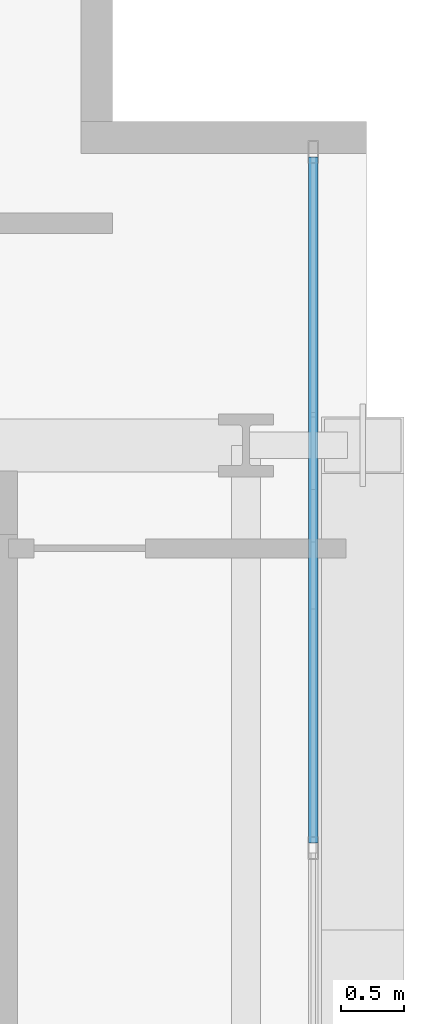
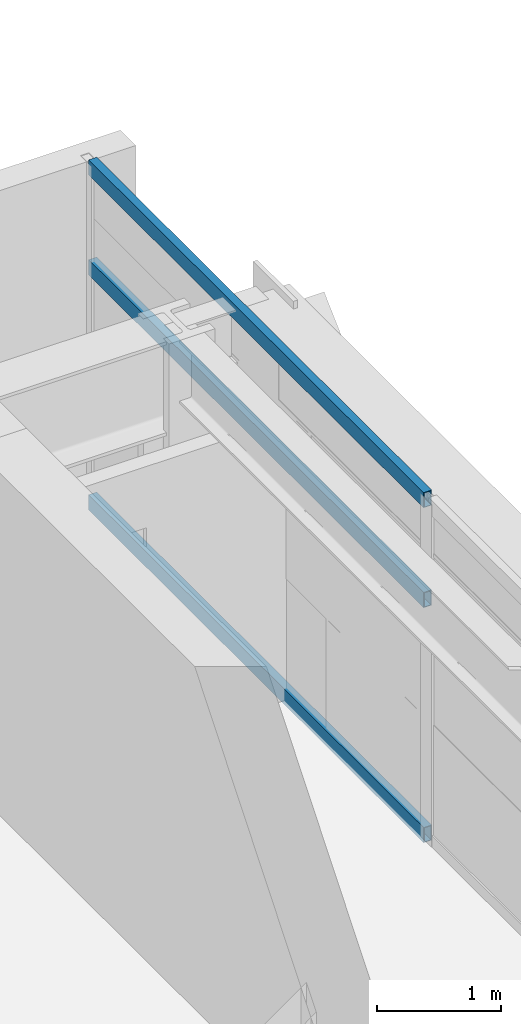
# One storey, part 15 of 32: 3 members, 1 element without a shape of its own.
"""IFC4 building model written with IfcOpenShell, lengths in metres."""

from ifc_helpers import new_model, si_unit, direction, frame, origin, origin_2d, place, context, subcontext, project, spatial, hollow_rectangle, extrude, source, transform, mapped, material, layer, layer_set, material_profile, profile_set, type_object, element, aggregate, save


model = new_model("IFC4")

# Units and contexts
model_context = context("Model", 3, precision=1e-05, world=origin(), true_north=direction((0.0, 1.0)))
body_context = subcontext(model_context, "Body", "Model", "MODEL_VIEW")
ifc_project = project(units=[si_unit("LENGTHUNIT", "METRE"), si_unit("AREAUNIT", "SQUARE_METRE"), si_unit("VOLUMEUNIT", "CUBIC_METRE"), si_unit("PLANEANGLEUNIT", "RADIAN"), si_unit("MASSUNIT", "GRAM", prefix="KILO")], contexts=[model_context])

# Site, building, storey
site_placement = place(None, origin())
site = spatial("IfcSite", under=ifc_project, at=site_placement, CompositionType="ELEMENT")
building_placement = place(site_placement, origin())
building = spatial("IfcBuilding", under=site, at=building_placement, Name="Ocotamira Hotel", CompositionType="ELEMENT")
storey_placement = place(building_placement, frame((0.0, 0.0, 177.60009765625)))
storey = spatial("IfcBuildingStorey", under=building, at=storey_placement, Name="L44", CompositionType="ELEMENT", Elevation=177.60009765625)

# Curtain wall, members
ifc_material_1 = material(Name="Anodised pale-metal aluminium and solar glass", Category="aluminium")
ifc_layer = layer(ifc_material_1, 0.199951171875)
ifc_layer_set = layer_set([ifc_layer], Name="Anodised pale-metal aluminium and solar glass")
curtain_wall_type = type_object("IfcCurtainWallType", Name="CW-SYS4-Z3", PredefinedType="NOTDEFINED", material=ifc_layer_set)
curtain_wall_placement = place(storey_placement, origin())
curtain_wall = element("IfcCurtainWall", 1, at=curtain_wall_placement, inside=storey, type_object=curtain_wall_type, Name="L44 Curtain Wall CW-4 CW-L44-E", PredefinedType="NOTDEFINED")
ifc_material_2 = material(Name="Anodised pale-metal aluminium 6063-T6", Category="aluminium")
ifc_material_profile = material_profile(ifc_material_2, hollow_rectangle(XDim=0.074951171875, YDim=0.14990234375, WallThickness=0.006103515625, at=origin_2d()), Name="HSS150X75X6")
ifc_profile_set = profile_set([ifc_material_profile], Name="Anodised pale-metal aluminium 6063-T6")
member_type = type_object("IfcMemberType", Name="CWT-150X75", PredefinedType="USERDEFINED", material=ifc_profile_set)
shared_shape = source(origin(), body_context, "Body", "SweptSolid", [
    extrude(hollow_rectangle(XDim=0.074951171875, YDim=0.14990234375, WallThickness=0.006103515625, at=origin_2d()), origin(), (0.0, 0.0, 1.0), 5.39990234375),
])
member_1_placement = place(storey_placement, frame((55.580078125, 34.320068359375, 0.037353515625), z_axis=(0.0, 1.0, 0.0), x_axis=(-1.0, 0.0, 0.0)))
member_1 = element("IfcMember", 2, at=member_1_placement, type_object=member_type, Name="CW-4 transom 5.1", ObjectType="TRANSOM", PredefinedType="USERDEFINED", context=body_context, shape_type="MappedRepresentation", body=[
    mapped(shared_shape, transform((0.0, 0.0, 0.0), scale=1.0)),
])
member_2_placement = place(storey_placement, frame((55.580078125, 34.320068359375, 2.349853515625), z_axis=(0.0, 1.0, 0.0), x_axis=(-1.0, 0.0, 0.0)))
member_2 = element("IfcMember", 3, at=member_2_placement, type_object=member_type, Name="CW-4 transom 5.2", ObjectType="TRANSOM", PredefinedType="USERDEFINED", context=body_context, shape_type="MappedRepresentation", body=[
    mapped(shared_shape, transform((0.0, 0.0, 0.0), scale=1.0)),
])
member_3_placement = place(storey_placement, frame((55.580078125, 34.320068359375, 3.33251953125), z_axis=(0.0, 1.0, 0.0), x_axis=(-1.0, 0.0, 0.0)))
member_3 = element("IfcMember", 4, at=member_3_placement, type_object=member_type, Name="CW-4 transom 5.3", ObjectType="TRANSOM", PredefinedType="USERDEFINED", context=body_context, shape_type="MappedRepresentation", body=[
    mapped(shared_shape, transform((0.0, 0.0, 0.0), scale=1.0)),
])
aggregate(curtain_wall, [member_1, member_2, member_3])

save(model, "model.ifc")
